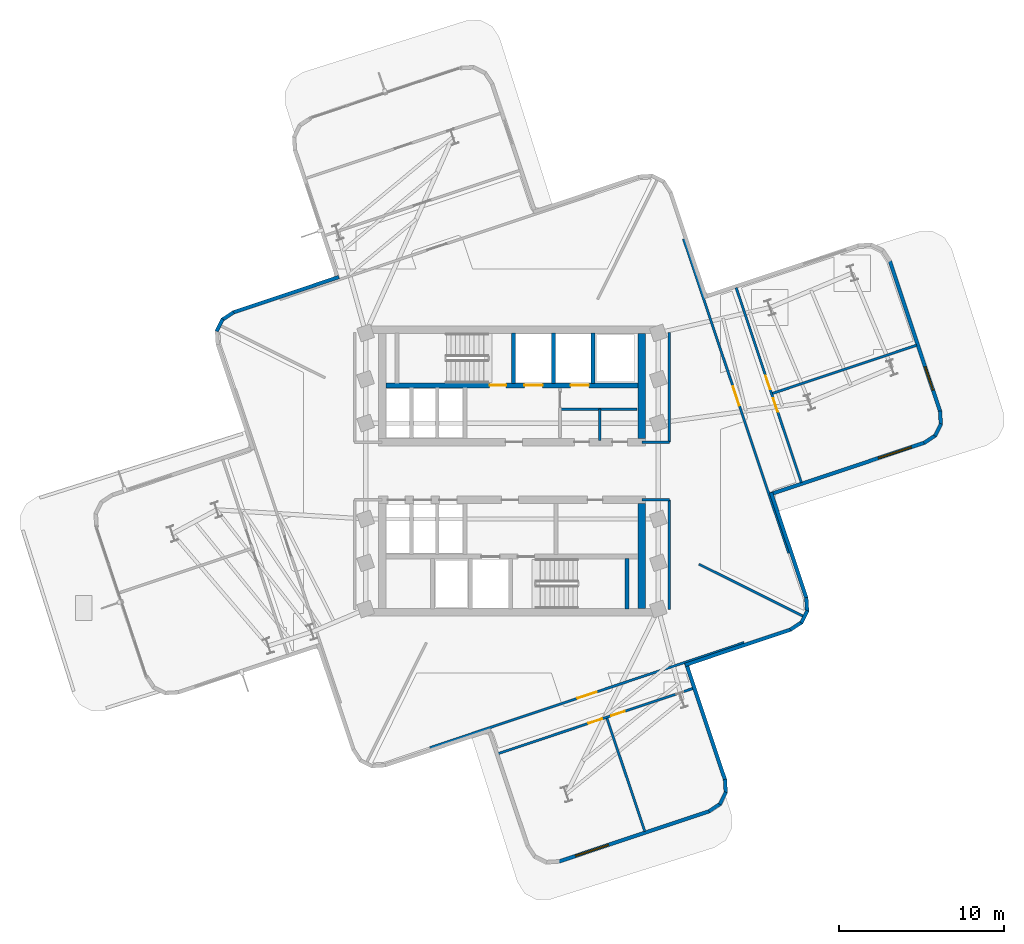
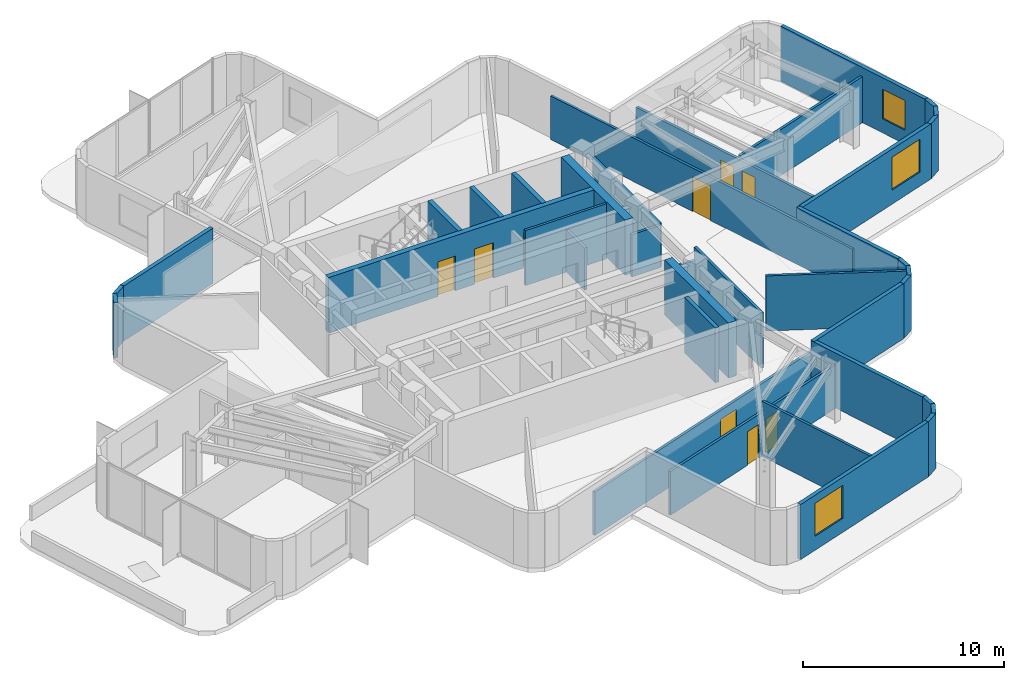
# One storey, part 7 of 11: 38 walls, 9 doors, 3 windows, 12 openings.
"""IFC4 building model written with IfcOpenShell, lengths in metres."""

from ifc_helpers import new_model, si_unit, direction, frame, frame_2d, origin, place, context, subcontext, project, spatial, rectangle, extrude, material, layer, layer_set, type_object, element, fill, save


model = new_model("IFC4")

# Units and contexts
model_context = context("Model", 3, precision=1e-05, world=origin(), true_north=direction((0.0, 1.0)))
body_context = subcontext(model_context, "Body", "Model", "MODEL_VIEW")
ifc_project = project(units=[si_unit("LENGTHUNIT", "METRE"), si_unit("AREAUNIT", "SQUARE_METRE"), si_unit("VOLUMEUNIT", "CUBIC_METRE"), si_unit("PLANEANGLEUNIT", "RADIAN"), si_unit("MASSUNIT", "GRAM", prefix="KILO")], contexts=[model_context])

# Site, building, storey
site_placement = place(None, origin())
site = spatial("IfcSite", under=ifc_project, at=site_placement, CompositionType="ELEMENT")
building_placement = place(site_placement, origin())
building = spatial("IfcBuilding", under=site, at=building_placement, Name="Solmarez Civic Tower", CompositionType="ELEMENT")
storey_placement = place(building_placement, frame((0.0, 0.0, 155.8798828125)))
storey = spatial("IfcBuildingStorey", under=building, at=storey_placement, Name="L41", CompositionType="ELEMENT", Elevation=155.8798828125)

# Walls
ifc_material_1 = material(Name="Concrete C50/60", Category="concrete")
ifc_layer_1 = layer(ifc_material_1, 0.449951171875)
ifc_layer_set_1 = layer_set([ifc_layer_1], Name="Concrete C50/60")
wall_type_1 = type_object("IfcWallType", Name="WALL-CORE-450", PredefinedType="SHEAR", material=ifc_layer_set_1)
for number, where, z_axis, x_axis, name in (
    (1, (7.844970703125, 8.31005859375, 0.0), (0.0, 0.0, 1.0), (0.0, -1.0, 0.0), "L41 Split-Core Structural Wall NCW-E-L41"),
    (2, (7.844970703125, -1.97509765625, 0.0), (0.0, 0.0, 1.0), (0.0, -1.0, 0.0), "L41 Split-Core Structural Wall SCW-E-L41"),
):
    element("IfcWall", number, at=place(storey_placement, frame(where, z_axis=z_axis, x_axis=x_axis)), inside=storey, type_object=wall_type_1, Name=name, PredefinedType="SHEAR", context=body_context, shape_type="SweptSolid", body=[
        extrude(rectangle(XDim=6.3349609375, YDim=0.449951171875, at=frame_2d((3.16748046875, 0.0))), origin(), (0.0, 0.0, 1.0), 3.340087890625),
    ])
ifc_material_2 = material(Name="Precast concrete C40/50", Category="concrete")
ifc_layer_2 = layer(ifc_material_2, 0.219970703125)
ifc_layer_set_2 = layer_set([ifc_layer_2], Name="Precast concrete C40/50")
wall_type_2 = type_object("IfcWallType", Name="WALL-EXT-220", PredefinedType="SOLIDWALL", material=ifc_layer_set_2)
wall_1_placement = place(storey_placement, frame((-17.85693359375, 8.446044921875, 0.0), z_axis=(0.0, 0.0, 1.0), x_axis=(0.446258139106, 0.894904281631, 0.0)))
element("IfcWall", 3, at=wall_1_placement, inside=storey, type_object=wall_type_2, Name="L41 Exterior Precast Wall 15", PredefinedType="SOLIDWALL", context=body_context, shape_type="SweptSolid", body=[
    extrude(rectangle(XDim=0.81787109375, YDim=0.219970703125, at=frame_2d((0.408935546875, 0.0))), origin(), (0.0, 0.0, 1.0), 3.340087890625),
])
wall_2_placement = place(storey_placement, frame((-17.52392578125, 9.14208984375, 0.0), z_axis=(0.0, 0.0, 1.0), x_axis=(0.833756011094, 0.552133058206, 0.0)))
element("IfcWall", 4, at=wall_2_placement, inside=storey, type_object=wall_type_2, Name="L41 Exterior Precast Wall 16", PredefinedType="SOLIDWALL", context=body_context, shape_type="SweptSolid", body=[
    extrude(rectangle(XDim=0.834716796875, YDim=0.219970703125, at=frame_2d((0.41748046875, 0.0))), origin(), (0.0, 0.0, 1.0), 3.340087890625),
])
wall_3_placement = place(storey_placement, frame((-16.873046875, 9.5810546875, 0.0), z_axis=(0.0, 0.0, 1.0), x_axis=(0.94829606055, 0.317387116224, 0.0)))
element("IfcWall", 5, at=wall_3_placement, inside=storey, type_object=wall_type_2, Name="L41 Exterior Precast Wall 17", PredefinedType="SOLIDWALL", context=body_context, shape_type="SweptSolid", body=[
    extrude(rectangle(XDim=6.75830078125, YDim=0.219970703125, at=frame_2d((3.379150390625, 0.0))), origin(), (0.0, 0.0, 1.0), 3.340087890625),
])

# Wall, opening, window
wall_4_placement = place(storey_placement, frame((22.8359375, 12.714111328125, 0.0), z_axis=(0.0, 0.0, 1.0), x_axis=(0.317285610931, -0.94833002752, 0.0)))
wall_4 = element("IfcWall", 6, at=wall_4_placement, inside=storey, type_object=wall_type_2, Name="L41 Exterior Precast Wall 42", PredefinedType="SOLIDWALL", context=body_context, shape_type="SweptSolid", body=[
    extrude(rectangle(XDim=9.6220703125, YDim=0.219970703125, at=frame_2d((4.81103515625, 0.0))), origin(), (0.0, 0.0, 1.0), 3.340087890625),
])
opening_1_placement = place(wall_4_placement, frame((6.7548828125, 0.0, 0.85009765625)))
opening_1 = element("IfcOpeningElement", 7, at=opening_1_placement, cuts=wall_4, Name="Opening W-13", PredefinedType="OPENING", context=body_context, shape_type="SweptSolid", body=[
    extrude(rectangle(XDim=1.5, YDim=1.800048828125, at=frame_2d((0.75, 0.89990234375))), frame((0.0, 0.119873046875, 0.0), z_axis=(0.0, -1.0, 0.0), x_axis=(1.0, 0.0, 0.0)), (0.0, 0.0, 1.0), 0.239990234375),
])
ifc_material_3 = material(Name="Solar Control Bronze-Tinted Insulating Glass", Category="glass")
window_type_1 = type_object("IfcWindowType", Name="WIN-1500X1800", PartitioningType="SINGLE_PANEL", PredefinedType="WINDOW", material=ifc_material_3)
window_1_placement = place(opening_1_placement, origin())
window_1 = element("IfcWindow", 8, at=window_1_placement, inside=storey, type_object=window_type_1, Name="L41 Exterior Facade Window 42", OverallHeight=1.800048828125, OverallWidth=1.5, PartitioningType="SINGLE_PANEL", PredefinedType="WINDOW", context=body_context, shape_type="SweptSolid", body=[
    extrude(rectangle(XDim=1.5, YDim=1.800048828125, at=frame_2d((0.75, 0.89990234375))), frame((0.0, 0.030029296875, 0.0), z_axis=(0.0, -1.0, 0.0), x_axis=(1.0, 0.0, 0.0)), (0.0, 0.0, 1.0), 0.06005859375),
])
fill(opening_1, window_1)

# Walls
wall_5_placement = place(storey_placement, frame((25.87890625, 3.637939453125, 0.0), z_axis=(0.0, 0.0, 1.0), x_axis=(0.062378286155, -0.998052578483, 0.0)))
element("IfcWall", 9, at=wall_5_placement, inside=storey, type_object=wall_type_2, Name="L41 Exterior Precast Wall 43", PredefinedType="SOLIDWALL", context=body_context, shape_type="SweptSolid", body=[
    extrude(rectangle(XDim=0.833740234375, YDim=0.219970703125, at=frame_2d((0.4169921875, 0.0))), origin(), (0.0, 0.0, 1.0), 3.340087890625),
])
wall_6_placement = place(storey_placement, frame((25.93994140625, 2.85302734375, 0.0), z_axis=(0.0, 0.0, 1.0), x_axis=(-0.445781750405, -0.895141682085, 0.0)))
element("IfcWall", 10, at=wall_6_placement, inside=storey, type_object=wall_type_2, Name="L41 Exterior Precast Wall 44", PredefinedType="SOLIDWALL", context=body_context, shape_type="SweptSolid", body=[
    extrude(rectangle(XDim=0.81884765625, YDim=0.219970703125, at=frame_2d((0.409423828125, 0.0))), origin(), (0.0, 0.0, 1.0), 3.340087890625),
])
wall_7_placement = place(storey_placement, frame((25.60693359375, 2.156005859375, 0.0), z_axis=(0.0, 0.0, 1.0), x_axis=(-0.833756011094, -0.552133058206, 0.0)))
element("IfcWall", 11, at=wall_7_placement, inside=storey, type_object=wall_type_2, Name="L41 Exterior Precast Wall 45", PredefinedType="SOLIDWALL", context=body_context, shape_type="SweptSolid", body=[
    extrude(rectangle(XDim=0.834716796875, YDim=0.219970703125, at=frame_2d((0.41748046875, 0.0))), origin(), (0.0, 0.0, 1.0), 3.340087890625),
])

# Wall, opening, window
wall_8_placement = place(storey_placement, frame((24.9560546875, 1.717041015625, 0.0), z_axis=(0.0, 0.0, 1.0), x_axis=(-0.948331055834, -0.317282537404, 0.0)))
wall_8 = element("IfcWall", 12, at=wall_8_placement, inside=storey, type_object=wall_type_2, Name="L41 Exterior Precast Wall 46", PredefinedType="SOLIDWALL", context=body_context, shape_type="SweptSolid", body=[
    extrude(rectangle(XDim=9.8583984375, YDim=0.219970703125, at=frame_2d((4.92919921875, 0.0))), origin(), (0.0, 0.0, 1.0), 3.340087890625),
])
opening_2_placement = place(wall_8_placement, frame((0.85009765625, 0.0, 0.85009765625)))
opening_2 = element("IfcOpeningElement", 13, at=opening_2_placement, cuts=wall_8, Name="Opening W-03", PredefinedType="OPENING", context=body_context, shape_type="SweptSolid", body=[
    extrude(rectangle(XDim=2.10009765625, YDim=2.0, at=frame_2d((1.050048828125, 1.0))), frame((0.0, 0.119873046875, 0.0), z_axis=(0.0, -1.0, 0.0), x_axis=(1.0, 0.0, 0.0)), (0.0, 0.0, 1.0), 0.239990234375),
])
window_type_2 = type_object("IfcWindowType", Name="WIN-2100X2000", PartitioningType="SINGLE_PANEL", PredefinedType="WINDOW", material=ifc_material_3)
window_2_placement = place(opening_2_placement, origin())
window_2 = element("IfcWindow", 14, at=window_2_placement, inside=storey, type_object=window_type_2, Name="L41 Exterior Facade Window 46", OverallHeight=2.0, OverallWidth=2.10009765625, PartitioningType="SINGLE_PANEL", PredefinedType="WINDOW", context=body_context, shape_type="SweptSolid", body=[
    extrude(rectangle(XDim=2.10009765625, YDim=2.0, at=frame_2d((1.050048828125, 1.0))), frame((0.0, 0.030029296875, 0.0), z_axis=(0.0, -1.0, 0.0), x_axis=(1.0, 0.0, 0.0)), (0.0, 0.0, 1.0), 0.06005859375),
])
fill(opening_2, window_2)

# Walls
wall_9_placement = place(storey_placement, frame((15.662109375, -1.300048828125, 0.0), z_axis=(0.0, 0.0, 1.0), x_axis=(0.317224676093, -0.948350412494, 0.0)))
element("IfcWall", 15, at=wall_9_placement, inside=storey, type_object=wall_type_2, Name="L41 Exterior Precast Wall 49", PredefinedType="SOLIDWALL", context=body_context, shape_type="SweptSolid", body=[
    extrude(rectangle(XDim=6.758056640625, YDim=0.219970703125, at=frame_2d((3.37890625, 0.0))), origin(), (0.0, 0.0, 1.0), 3.340087890625),
])
wall_10_placement = place(storey_placement, frame((17.7958984375, -7.659912109375, 0.0), z_axis=(0.0, 0.0, 1.0), x_axis=(0.062305442082, -0.998057128569, 0.0)))
element("IfcWall", 16, at=wall_10_placement, inside=storey, type_object=wall_type_2, Name="L41 Exterior Precast Wall 50", PredefinedType="SOLIDWALL", context=body_context, shape_type="SweptSolid", body=[
    extrude(rectangle(XDim=0.834716796875, YDim=0.219970703125, at=frame_2d((0.41748046875, 0.0))), origin(), (0.0, 0.0, 1.0), 3.340087890625),
])
wall_11_placement = place(storey_placement, frame((17.85693359375, -8.446044921875, 0.0), z_axis=(0.0, 0.0, 1.0), x_axis=(-0.446258139106, -0.894904281631, 0.0)))
element("IfcWall", 17, at=wall_11_placement, inside=storey, type_object=wall_type_2, Name="L41 Exterior Precast Wall 51", PredefinedType="SOLIDWALL", context=body_context, shape_type="SweptSolid", body=[
    extrude(rectangle(XDim=0.81787109375, YDim=0.219970703125, at=frame_2d((0.408935546875, 0.0))), origin(), (0.0, 0.0, 1.0), 3.340087890625),
])
wall_12_placement = place(storey_placement, frame((17.52392578125, -9.14208984375, 0.0), z_axis=(0.0, 0.0, 1.0), x_axis=(-0.833756011094, -0.552133058206, 0.0)))
element("IfcWall", 18, at=wall_12_placement, inside=storey, type_object=wall_type_2, Name="L41 Exterior Precast Wall 52", PredefinedType="SOLIDWALL", context=body_context, shape_type="SweptSolid", body=[
    extrude(rectangle(XDim=0.834716796875, YDim=0.219970703125, at=frame_2d((0.41748046875, 0.0))), origin(), (0.0, 0.0, 1.0), 3.340087890625),
])
wall_13_placement = place(storey_placement, frame((16.873046875, -9.5810546875, 0.0), z_axis=(0.0, 0.0, 1.0), x_axis=(-0.94829606055, -0.317387116224, 0.0)))
element("IfcWall", 19, at=wall_13_placement, inside=storey, type_object=wall_type_2, Name="L41 Exterior Precast Wall 53", PredefinedType="SOLIDWALL", context=body_context, shape_type="SweptSolid", body=[
    extrude(rectangle(XDim=6.75830078125, YDim=0.219970703125, at=frame_2d((3.379150390625, 0.0))), origin(), (0.0, 0.0, 1.0), 3.340087890625),
])
wall_14_placement = place(storey_placement, frame((10.51904296875, -11.614990234375, 0.0), z_axis=(0.0, 0.0, 1.0), x_axis=(0.317347016501, -0.948309480664, 0.0)))
element("IfcWall", 20, at=wall_14_placement, inside=storey, type_object=wall_type_2, Name="L41 Exterior Precast Wall 56", PredefinedType="SOLIDWALL", context=body_context, shape_type="SweptSolid", body=[
    extrude(rectangle(XDim=7.45849609375, YDim=0.219970703125, at=frame_2d((3.729248046875, 0.0))), origin(), (0.0, 0.0, 1.0), 3.340087890625),
])
wall_15_placement = place(storey_placement, frame((12.876953125, -18.638916015625, 0.0), z_axis=(0.0, 0.0, 1.0), x_axis=(0.05880777677, -0.998269325078, 0.0)))
element("IfcWall", 21, at=wall_15_placement, inside=storey, type_object=wall_type_2, Name="L41 Exterior Precast Wall 57", PredefinedType="SOLIDWALL", context=body_context, shape_type="SweptSolid", body=[
    extrude(rectangle(XDim=0.83447265625, YDim=0.219970703125, at=frame_2d((0.417236328125, 0.0))), origin(), (0.0, 0.0, 1.0), 3.340087890625),
])
wall_16_placement = place(storey_placement, frame((12.93603515625, -19.425048828125, 0.0), z_axis=(0.0, 0.0, 1.0), x_axis=(-0.446258139106, -0.894904281631, 0.0)))
element("IfcWall", 22, at=wall_16_placement, inside=storey, type_object=wall_type_2, Name="L41 Exterior Precast Wall 58", PredefinedType="SOLIDWALL", context=body_context, shape_type="SweptSolid", body=[
    extrude(rectangle(XDim=0.81787109375, YDim=0.219970703125, at=frame_2d((0.408935546875, 0.0))), origin(), (0.0, 0.0, 1.0), 3.340087890625),
])
wall_17_placement = place(storey_placement, frame((12.60302734375, -20.12109375, 0.0), z_axis=(0.0, 0.0, 1.0), x_axis=(-0.833756011094, -0.552133058206, 0.0)))
element("IfcWall", 23, at=wall_17_placement, inside=storey, type_object=wall_type_2, Name="L41 Exterior Precast Wall 59", PredefinedType="SOLIDWALL", context=body_context, shape_type="SweptSolid", body=[
    extrude(rectangle(XDim=0.834716796875, YDim=0.219970703125, at=frame_2d((0.41748046875, 0.0))), origin(), (0.0, 0.0, 1.0), 3.340087890625),
])

# Wall, opening, window
wall_18_placement = place(storey_placement, frame((11.951904296875, -20.56005859375, 0.0), z_axis=(0.0, 0.0, 1.0), x_axis=(-0.94831980895, -0.317316151421, 0.0)))
wall_18 = element("IfcWall", 24, at=wall_18_placement, inside=storey, type_object=wall_type_2, Name="L41 Exterior Precast Wall 60", PredefinedType="SOLIDWALL", context=body_context, shape_type="SweptSolid", body=[
    extrude(rectangle(XDim=9.621337890625, YDim=0.219970703125, at=frame_2d((4.810546875, 0.0))), origin(), (0.0, 0.0, 1.0), 3.340087890625),
])
opening_3_placement = place(wall_18_placement, frame((6.455078125, 0.0, 0.85009765625)))
opening_3 = element("IfcOpeningElement", 25, at=opening_3_placement, cuts=wall_18, Name="Opening W-03", PredefinedType="OPENING", context=body_context, shape_type="SweptSolid", body=[
    extrude(rectangle(XDim=2.10009765625, YDim=2.0, at=frame_2d((1.050048828125, 1.0))), frame((0.0, 0.119873046875, 0.0), z_axis=(0.0, -1.0, 0.0), x_axis=(1.0, 0.0, 0.0)), (0.0, 0.0, 1.0), 0.239990234375),
])
window_3_placement = place(opening_3_placement, origin())
window_3 = element("IfcWindow", 26, at=window_3_placement, inside=storey, type_object=window_type_2, Name="L41 Exterior Facade Window 60", OverallHeight=2.0, OverallWidth=2.10009765625, PartitioningType="SINGLE_PANEL", PredefinedType="WINDOW", context=body_context, shape_type="SweptSolid", body=[
    extrude(rectangle(XDim=2.10009765625, YDim=2.0, at=frame_2d((1.050048828125, 1.0))), frame((0.0, 0.030029296875, 0.0), z_axis=(0.0, -1.0, 0.0), x_axis=(1.0, 0.0, 0.0)), (0.0, 0.0, 1.0), 0.06005859375),
])
fill(opening_3, window_3)

# Walls
ifc_material_4 = material(Name="Gypsum Board Acoustic Steel-Stud Partition", Category="steel")
ifc_layer_3 = layer(ifc_material_4, 0.14990234375)
ifc_layer_set_3 = layer_set([ifc_layer_3], Name="Gypsum Board Acoustic Steel-Stud Partition")
wall_type_3 = type_object("IfcWallType", Name="WALL-INT-FIRE-150", PredefinedType="PARTITIONING", material=ifc_layer_set_3)
wall_19_placement = place(storey_placement, frame((9.52001953125, 1.75, 0.0), z_axis=(0.0, 0.0, 1.0), x_axis=(0.0, 1.0, 0.0)))
element("IfcWall", 27, at=wall_19_placement, inside=storey, type_object=wall_type_3, Name="L41 Interior Partition CHW-L41-EN1", PredefinedType="PARTITIONING", context=body_context, shape_type="SweptSolid", body=[
    extrude(rectangle(XDim=6.6298828125, YDim=0.14990234375, at=frame_2d((3.31494140625, 0.0))), origin(), (0.0, 0.0, 1.0), 2.64404296875),
])
wall_20_placement = place(storey_placement, frame((7.85009765625, 1.75, 0.0), z_axis=(0.0, 0.0, 1.0), x_axis=(1.0, 0.0, 0.0)))
element("IfcWall", 28, at=wall_20_placement, inside=storey, type_object=wall_type_3, Name="L41 Interior Partition CHW-L41-EN3", PredefinedType="PARTITIONING", context=body_context, shape_type="SweptSolid", body=[
    extrude(rectangle(XDim=1.669921875, YDim=0.14990234375, at=frame_2d((0.8349609375, 0.0))), origin(), (0.0, 0.0, 1.0), 2.570068359375),
])
wall_21_placement = place(storey_placement, frame((9.52001953125, -8.3798828125, 0.0), z_axis=(0.0, 0.0, 1.0), x_axis=(0.0, 1.0, 0.0)))
element("IfcWall", 29, at=wall_21_placement, inside=storey, type_object=wall_type_3, Name="L41 Interior Partition CHW-L41-ES1", PredefinedType="PARTITIONING", context=body_context, shape_type="SweptSolid", body=[
    extrude(rectangle(XDim=6.6298828125, YDim=0.14990234375, at=frame_2d((3.31494140625, 0.0))), origin(), (0.0, 0.0, 1.0), 3.340087890625),
])
wall_22_placement = place(storey_placement, frame((7.85009765625, -1.75, 0.0), z_axis=(0.0, 0.0, 1.0), x_axis=(1.0, 0.0, 0.0)))
element("IfcWall", 30, at=wall_22_placement, inside=storey, type_object=wall_type_3, Name="L41 Interior Partition CHW-L41-ES3", PredefinedType="PARTITIONING", context=body_context, shape_type="SweptSolid", body=[
    extrude(rectangle(XDim=1.669921875, YDim=0.14990234375, at=frame_2d((0.8349609375, 0.0))), origin(), (0.0, 0.0, 1.0), 2.570068359375),
])
ifc_layer_4 = layer(ifc_material_4, 0.14501953125)
ifc_layer_set_4 = layer_set([ifc_layer_4], Name="Gypsum Board Acoustic Steel-Stud Partition")
wall_type_4 = type_object("IfcWallType", Name="WALL-INT-PART-150", PredefinedType="PARTITIONING", material=ifc_layer_set_4)
wall_23_placement = place(storey_placement, frame((11.300048828125, -5.634033203125, 0.0), z_axis=(0.0, 0.0, 1.0), x_axis=(0.894904738475, -0.446257222972, 0.0)))
element("IfcWall", 31, at=wall_23_placement, inside=storey, type_object=wall_type_4, Name="L41 Interior Partition PT-L41-QDIV-4", PredefinedType="PARTITIONING", context=body_context, shape_type="SweptSolid", body=[
    extrude(rectangle(XDim=7.047607421875, YDim=0.14501953125, at=frame_2d((3.52392578125, 0.0))), origin(), (0.0, 0.0, 1.0), 3.340087890625),
])

# Wall, opening, door
wall_24_placement = place(storey_placement, frame((10.3720703125, 14.037109375, 0.0), z_axis=(0.0, 0.0, 1.0), x_axis=(0.317298382655, -0.94832575435, 0.0)))
wall_24 = element("IfcWall", 32, at=wall_24_placement, inside=storey, type_object=wall_type_4, Name="L41 Interior Partition PT-L41-E-ENT", PredefinedType="PARTITIONING", context=body_context, shape_type="SweptSolid", body=[
    extrude(rectangle(XDim=20.040771484375, YDim=0.14501953125, at=frame_2d((10.0205078125, 0.0))), origin(), (0.0, 0.0, 1.0), 2.64404296875),
])
opening_4_placement = place(wall_24_placement, frame((9.419921875, 0.0, 0.0)))
opening_4 = element("IfcOpeningElement", 33, at=opening_4_placement, cuts=wall_24, Name="Opening D-11", PredefinedType="OPENING", context=body_context, shape_type="SweptSolid", body=[
    extrude(rectangle(XDim=1.199951171875, YDim=2.10009765625, at=frame_2d((0.60009765625, 1.050048828125))), frame((0.0, 0.08251953125, 0.0), z_axis=(0.0, -1.0, 0.0), x_axis=(1.0, 0.0, 0.0)), (0.0, 0.0, 1.0), 0.1650390625),
])
ifc_material_5 = material(Name="Glazed-Vision Acoustic Chamber Door", Category="wood")
door_type_1 = type_object("IfcDoorType", Name="DOOR-INT-1200", OperationType="NOTDEFINED", PredefinedType="DOOR", material=ifc_material_5)
door_1_placement = place(opening_4_placement, origin())
door_1 = element("IfcDoor", 34, at=door_1_placement, inside=storey, type_object=door_type_1, Name="L41 Tribunal Chamber Public Reception Room First East Door", OperationType="SINGLE_SWING_LEFT", OverallHeight=2.10009765625, OverallWidth=1.199951171875, PredefinedType="DOOR", context=body_context, shape_type="SweptSolid", body=[
    extrude(rectangle(XDim=1.199951171875, YDim=2.10009765625, at=frame_2d((0.60009765625, 1.050048828125))), frame((0.0, 0.02490234375, 0.0), z_axis=(0.0, -1.0, 0.0), x_axis=(1.0, 0.0, 0.0)), (0.0, 0.0, 1.0), 0.050048828125),
])
fill(opening_4, door_1)

# Wall
wall_25_placement = place(storey_placement, frame((15.7548828125, 4.69189453125, 0.0), z_axis=(0.0, 0.0, 1.0), x_axis=(0.94831322287, 0.317335833667, 0.0)))
element("IfcWall", 35, at=wall_25_placement, inside=storey, type_object=wall_type_4, Name="L41 Interior Partition PT-L41-E-TSP", PredefinedType="PARTITIONING", context=body_context, shape_type="SweptSolid", body=[
    extrude(rectangle(XDim=9.18603515625, YDim=0.14501953125, at=frame_2d((4.593017578125, 0.0))), origin(), (0.0, 0.0, 1.0), 2.793212890625),
])

# Wall, openings, doors
wall_26_placement = place(storey_placement, frame((17.49609375, -0.699951171875, 0.0), z_axis=(0.0, 0.0, 1.0), x_axis=(-0.317299961245, 0.948325226172, 0.0)))
wall_26 = element("IfcWall", 36, at=wall_26_placement, inside=storey, type_object=wall_type_4, Name="L41 Interior Partition PT-L41-E-SCUT", PredefinedType="PARTITIONING", context=body_context, shape_type="SweptSolid", body=[
    extrude(rectangle(XDim=12.43017578125, YDim=0.14501953125, at=frame_2d((6.215087890625, 0.0))), origin(), (0.0, 0.0, 1.0), 2.64404296875),
])
opening_5_placement = place(wall_26_placement, frame((4.514892578125, 0.0, 0.0)))
opening_5 = element("IfcOpeningElement", 37, at=opening_5_placement, cuts=wall_26, Name="Opening D-14", PredefinedType="OPENING", context=body_context, shape_type="SweptSolid", body=[
    extrude(rectangle(XDim=0.860107421875, YDim=2.0400390625, at=frame_2d((0.43017578125, 1.02001953125))), frame((0.0, 0.08251953125, 0.0), z_axis=(0.0, -1.0, 0.0), x_axis=(1.0, 0.0, 0.0)), (0.0, 0.0, 1.0), 0.1650390625),
])
opening_6_placement = place(wall_26_placement, frame((5.955078125, 0.0, 0.0)))
opening_6 = element("IfcOpeningElement", 38, at=opening_6_placement, cuts=wall_26, Name="Opening D-14", PredefinedType="OPENING", context=body_context, shape_type="SweptSolid", body=[
    extrude(rectangle(XDim=0.860107421875, YDim=2.0400390625, at=frame_2d((0.43017578125, 1.02001953125))), frame((0.0, 0.08251953125, 0.0), z_axis=(0.0, -1.0, 0.0), x_axis=(1.0, 0.0, 0.0)), (0.0, 0.0, 1.0), 0.1650390625),
])
ifc_material_6 = material(Name="Timber Storage and Pantry Door", Category="wood")
door_type_2 = type_object("IfcDoorType", Name="DOOR-INT-850", OperationType="NOTDEFINED", PredefinedType="DOOR", material=ifc_material_6)
door_2_placement = place(opening_5_placement, origin())
door_2 = element("IfcDoor", 39, at=door_2_placement, inside=storey, type_object=door_type_2, Name="L41 Security Control Room Third East Door", OperationType="SINGLE_SWING_RIGHT", OverallHeight=2.0400390625, OverallWidth=0.860107421875, PredefinedType="DOOR", context=body_context, shape_type="SweptSolid", body=[
    extrude(rectangle(XDim=0.860107421875, YDim=2.0400390625, at=frame_2d((0.43017578125, 1.02001953125))), frame((0.0, 0.02490234375, 0.0), z_axis=(0.0, -1.0, 0.0), x_axis=(1.0, 0.0, 0.0)), (0.0, 0.0, 1.0), 0.050048828125),
])
fill(opening_5, door_2)
door_3_placement = place(opening_6_placement, origin())
door_3 = element("IfcDoor", 40, at=door_3_placement, inside=storey, type_object=door_type_2, Name="L41 Delegation Concierge Room Second East Door", OperationType="SINGLE_SWING_LEFT", OverallHeight=2.0400390625, OverallWidth=0.860107421875, PredefinedType="DOOR", context=body_context, shape_type="SweptSolid", body=[
    extrude(rectangle(XDim=0.860107421875, YDim=2.0400390625, at=frame_2d((0.43017578125, 1.02001953125))), frame((0.0, 0.02490234375, 0.0), z_axis=(0.0, -1.0, 0.0), x_axis=(1.0, 0.0, 0.0)), (0.0, 0.0, 1.0), 0.050048828125),
])
fill(opening_6, door_3)

# Wall, opening, door
wall_27_placement = place(storey_placement, frame((14.037109375, -10.3720703125, 0.0), z_axis=(0.0, 0.0, 1.0), x_axis=(-0.94832575435, -0.317298382655, 0.0)))
wall_27 = element("IfcWall", 41, at=wall_27_placement, inside=storey, type_object=wall_type_4, Name="L41 Interior Partition PT-L41-S-ENT", PredefinedType="PARTITIONING", context=body_context, shape_type="SweptSolid", body=[
    extrude(rectangle(XDim=20.040771484375, YDim=0.14501953125, at=frame_2d((10.0205078125, 0.0))), origin(), (0.0, 0.0, 1.0), 2.64404296875),
])
opening_7_placement = place(wall_27_placement, frame((9.419921875, 0.0, 0.0)))
opening_7 = element("IfcOpeningElement", 42, at=opening_7_placement, cuts=wall_27, Name="Opening D-11", PredefinedType="OPENING", context=body_context, shape_type="SweptSolid", body=[
    extrude(rectangle(XDim=1.199951171875, YDim=2.10009765625, at=frame_2d((0.60009765625, 1.050048828125))), frame((0.0, 0.08251953125, 0.0), z_axis=(0.0, -1.0, 0.0), x_axis=(1.0, 0.0, 0.0)), (0.0, 0.0, 1.0), 0.1650390625),
])
door_4_placement = place(opening_7_placement, origin())
door_4 = element("IfcDoor", 43, at=door_4_placement, inside=storey, type_object=door_type_1, Name="L41 Ministry Conference Room First South Door", OperationType="SINGLE_SWING_LEFT", OverallHeight=2.10009765625, OverallWidth=1.199951171875, PredefinedType="DOOR", context=body_context, shape_type="SweptSolid", body=[
    extrude(rectangle(XDim=1.199951171875, YDim=2.10009765625, at=frame_2d((0.60009765625, 1.050048828125))), frame((0.0, 0.02490234375, 0.0), z_axis=(0.0, -1.0, 0.0), x_axis=(1.0, 0.0, 0.0)), (0.0, 0.0, 1.0), 0.050048828125),
])
fill(opening_7, door_4)

# Wall
wall_28_placement = place(storey_placement, frame((5.740966796875, -14.950927734375, 0.0), z_axis=(0.0, 0.0, 1.0), x_axis=(0.317273194857, -0.948334181513, 0.0)))
element("IfcWall", 44, at=wall_28_placement, inside=storey, type_object=wall_type_4, Name="L41 Interior Partition PT-L41-S-TM3", PredefinedType="PARTITIONING", context=body_context, shape_type="SweptSolid", body=[
    extrude(rectangle(XDim=7.21484375, YDim=0.14501953125, at=frame_2d((3.607421875, 0.0))), origin(), (0.0, 0.0, 1.0), 3.340087890625),
])

# Wall, openings, doors
wall_29_placement = place(storey_placement, frame((-0.8359375, -17.087890625, 0.0), z_axis=(0.0, 0.0, 1.0), x_axis=(0.948331136084, 0.317282297544, 0.0)))
wall_29 = element("IfcWall", 45, at=wall_29_placement, inside=storey, type_object=wall_type_4, Name="L41 Interior Partition PT-L41-S-SCUT", PredefinedType="PARTITIONING", context=body_context, shape_type="SweptSolid", body=[
    extrude(rectangle(XDim=12.43017578125, YDim=0.14501953125, at=frame_2d((6.215087890625, 0.0))), origin(), (0.0, 0.0, 1.0), 2.64404296875),
])
opening_8_placement = place(wall_29_placement, frame((5.764892578125, 0.0, 0.0)))
opening_8 = element("IfcOpeningElement", 46, at=opening_8_placement, cuts=wall_29, Name="Opening D-14", PredefinedType="OPENING", context=body_context, shape_type="SweptSolid", body=[
    extrude(rectangle(XDim=0.860107421875, YDim=2.0400390625, at=frame_2d((0.43017578125, 1.02001953125))), frame((0.0, 0.08251953125, 0.0), z_axis=(0.0, -1.0, 0.0), x_axis=(1.0, 0.0, 0.0)), (0.0, 0.0, 1.0), 0.1650390625),
])
opening_9_placement = place(wall_29_placement, frame((7.2041015625, 0.0, 0.0)))
opening_9 = element("IfcOpeningElement", 47, at=opening_9_placement, cuts=wall_29, Name="Opening D-14", PredefinedType="OPENING", context=body_context, shape_type="SweptSolid", body=[
    extrude(rectangle(XDim=0.860107421875, YDim=2.0400390625, at=frame_2d((0.43017578125, 1.02001953125))), frame((0.0, 0.08251953125, 0.0), z_axis=(0.0, -1.0, 0.0), x_axis=(1.0, 0.0, 0.0)), (0.0, 0.0, 1.0), 0.1650390625),
])
door_5_placement = place(opening_8_placement, origin())
door_5 = element("IfcDoor", 48, at=door_5_placement, inside=storey, type_object=door_type_2, Name="L41 Security Control Room Third South Door", OperationType="SINGLE_SWING_RIGHT", OverallHeight=2.0400390625, OverallWidth=0.860107421875, PredefinedType="DOOR", context=body_context, shape_type="SweptSolid", body=[
    extrude(rectangle(XDim=0.860107421875, YDim=2.0400390625, at=frame_2d((0.43017578125, 1.02001953125))), frame((0.0, 0.02490234375, 0.0), z_axis=(0.0, -1.0, 0.0), x_axis=(1.0, 0.0, 0.0)), (0.0, 0.0, 1.0), 0.050048828125),
])
fill(opening_8, door_5)
door_6_placement = place(opening_9_placement, origin())
door_6 = element("IfcDoor", 49, at=door_6_placement, inside=storey, type_object=door_type_2, Name="L41 Delegation Concierge Room Second South Door", OperationType="SINGLE_SWING_LEFT", OverallHeight=2.0400390625, OverallWidth=0.860107421875, PredefinedType="DOOR", context=body_context, shape_type="SweptSolid", body=[
    extrude(rectangle(XDim=0.860107421875, YDim=2.0400390625, at=frame_2d((0.43017578125, 1.02001953125))), frame((0.0, 0.02490234375, 0.0), z_axis=(0.0, -1.0, 0.0), x_axis=(1.0, 0.0, 0.0)), (0.0, 0.0, 1.0), 0.050048828125),
])
fill(opening_9, door_6)

# Walls
ifc_layer_5 = layer(ifc_material_4, 0.137939453125)
ifc_layer_set_5 = layer_set([ifc_layer_5], Name="Gypsum Board Acoustic Steel-Stud Partition")
wall_type_5 = type_object("IfcWallType", Name="WALL-INT-WET-140", PredefinedType="PARTITIONING", material=ifc_layer_set_5)
wall_30_placement = place(storey_placement, frame((2.89990234375, 3.739990234375, 0.0), z_axis=(0.0, 0.0, 1.0), x_axis=(1.0, 0.0, 0.0)))
element("IfcWall", 50, at=wall_30_placement, inside=storey, type_object=wall_type_5, Name="L41 Interior Partition SHW-SVH-L41", PredefinedType="PARTITIONING", context=body_context, shape_type="SweptSolid", body=[
    extrude(rectangle(XDim=4.650146484375, YDim=0.137939453125, at=frame_2d((2.3251953125, 0.0))), origin(), (0.0, 0.0, 1.0), 3.340087890625),
])
wall_31_placement = place(storey_placement, frame((5.300048828125, 1.85009765625, 0.0), z_axis=(0.0, 0.0, 1.0), x_axis=(0.0, 1.0, 0.0)))
element("IfcWall", 51, at=wall_31_placement, inside=storey, type_object=wall_type_5, Name="L41 Interior Partition PT-NCSV-L41", PredefinedType="PARTITIONING", context=body_context, shape_type="SweptSolid", body=[
    extrude(rectangle(XDim=1.889892578125, YDim=0.137939453125, at=frame_2d((0.94482421875, 0.0))), origin(), (0.0, 0.0, 1.0), 2.570068359375),
])

# Wall, openings, doors
ifc_layer_6 = layer(ifc_material_1, 0.300048828125)
ifc_layer_set_6 = layer_set([ifc_layer_6], Name="Concrete C50/60")
wall_type_6 = type_object("IfcWallType", Name="WALL-STR-300", PredefinedType="SOLIDWALL", material=ifc_layer_set_6)
wall_32_placement = place(storey_placement, frame((7.6201171875, 5.179931640625, 0.0), z_axis=(0.0, 0.0, 1.0), x_axis=(-1.0, 0.0, 0.0)))
wall_32 = element("IfcWall", 52, at=wall_32_placement, inside=storey, type_object=wall_type_6, Name="L41 Split-Core Structural Wall NCW-M-L41", PredefinedType="SOLIDWALL", context=body_context, shape_type="SweptSolid", body=[
    extrude(rectangle(XDim=15.240234375, YDim=0.300048828125, at=frame_2d((7.6201171875, 0.0))), origin(), (0.0, 0.0, 1.0), 3.340087890625),
])
opening_10_placement = place(wall_32_placement, frame((5.77001953125, 0.0, 0.0)))
opening_10 = element("IfcOpeningElement", 53, at=opening_10_placement, cuts=wall_32, Name="Opening LD-02", PredefinedType="OPENING", context=body_context, shape_type="SweptSolid", body=[
    extrude(rectangle(XDim=1.10009765625, YDim=2.14990234375, at=frame_2d((0.550048828125, 1.074951171875))), frame((0.0, 0.159912109375, 0.0), z_axis=(0.0, -1.0, 0.0), x_axis=(1.0, 0.0, 0.0)), (0.0, 0.0, 1.0), 0.320068359375),
])
opening_11_placement = place(wall_32_placement, frame((2.969970703125, 0.0, 0.0)))
opening_11 = element("IfcOpeningElement", 54, at=opening_11_placement, cuts=wall_32, Name="Opening LD-03", PredefinedType="OPENING", context=body_context, shape_type="SweptSolid", body=[
    extrude(rectangle(XDim=1.10009765625, YDim=2.14990234375, at=frame_2d((0.550048828125, 1.074951171875))), frame((0.0, 0.159912109375, 0.0), z_axis=(0.0, -1.0, 0.0), x_axis=(1.0, 0.0, 0.0)), (0.0, 0.0, 1.0), 0.320068359375),
])
opening_12_placement = place(wall_32_placement, frame((7.969970703125, 0.0, 0.0)))
opening_12 = element("IfcOpeningElement", 55, at=opening_12_placement, cuts=wall_32, Name="Opening D-05", PredefinedType="OPENING", context=body_context, shape_type="SweptSolid", body=[
    extrude(rectangle(XDim=1.0, YDim=2.10009765625, at=frame_2d((0.5, 1.050048828125))), frame((0.0, 0.159912109375, 0.0), z_axis=(0.0, -1.0, 0.0), x_axis=(1.0, 0.0, 0.0)), (0.0, 0.0, 1.0), 0.320068359375),
])
ifc_material_7 = material(Name="Fire-Rated Stairwell Exit Door", Category="wood")
door_type_3 = type_object("IfcDoorType", Name="DOOR-FD90-1000", OperationType="NOTDEFINED", PredefinedType="DOOR", material=ifc_material_7)
door_7_placement = place(opening_12_placement, origin())
door_7 = element("IfcDoor", 56, at=door_7_placement, inside=storey, type_object=door_type_3, Name="L41 North Exit Stair Door ST-1", OperationType="SINGLE_SWING_RIGHT", OverallHeight=2.10009765625, OverallWidth=1.0, PredefinedType="DOOR", context=body_context, shape_type="SweptSolid", body=[
    extrude(rectangle(XDim=1.0, YDim=2.10009765625, at=frame_2d((0.5, 1.050048828125))), frame((0.0, 0.02490234375, 0.0), z_axis=(0.0, -1.0, 0.0), x_axis=(1.0, 0.0, 0.0)), (0.0, 0.0, 1.0), 0.050048828125),
])
fill(opening_12, door_7)
ifc_material_8 = material(Name="Stainless Firefighting Lift Landing Sliding Door", Category="aluminium")
door_type_4 = type_object("IfcDoorType", Name="DOOR-LD-FF-1100", OperationType="DOUBLE_DOOR_SLIDING", PredefinedType="DOOR", material=ifc_material_8)
door_8_placement = place(opening_10_placement, origin())
door_8 = element("IfcDoor", 57, at=door_8_placement, inside=storey, type_object=door_type_4, Name="L41 Firefighting Lift Landing Door FFL-1", OperationType="DOUBLE_DOOR_SLIDING", OverallHeight=2.14990234375, OverallWidth=1.10009765625, PredefinedType="DOOR", context=body_context, shape_type="SweptSolid", body=[
    extrude(rectangle(XDim=1.10009765625, YDim=2.14990234375, at=frame_2d((0.550048828125, 1.074951171875))), frame((0.0, 0.02490234375, 0.0), z_axis=(0.0, -1.0, 0.0), x_axis=(1.0, 0.0, 0.0)), (0.0, 0.0, 1.0), 0.050048828125),
])
fill(opening_10, door_8)
ifc_material_9 = material(Name="Stainless Stretcher Lift Landing Sliding Door", Category="aluminium")
door_type_5 = type_object("IfcDoorType", Name="DOOR-LD-SV-1100", OperationType="DOUBLE_DOOR_SLIDING", PredefinedType="DOOR", material=ifc_material_9)
door_9_placement = place(opening_11_placement, origin())
door_9 = element("IfcDoor", 58, at=door_9_placement, inside=storey, type_object=door_type_5, Name="L41 Service Stretcher Lift Landing Door SVL-1", OperationType="DOUBLE_DOOR_SLIDING", OverallHeight=2.14990234375, OverallWidth=1.10009765625, PredefinedType="DOOR", context=body_context, shape_type="SweptSolid", body=[
    extrude(rectangle(XDim=1.10009765625, YDim=2.14990234375, at=frame_2d((0.550048828125, 1.074951171875))), frame((0.0, 0.02490234375, 0.0), z_axis=(0.0, -1.0, 0.0), x_axis=(1.0, 0.0, 0.0)), (0.0, 0.0, 1.0), 0.050048828125),
])
fill(opening_11, door_9)

# Walls
wall_33_placement = place(storey_placement, frame((6.949951171875, -8.340087890625, 0.0), z_axis=(0.0, 0.0, 1.0), x_axis=(0.0, 1.0, 0.0)))
element("IfcWall", 59, at=wall_33_placement, inside=storey, type_object=wall_type_6, Name="L41 Split-Core Structural Wall SHW-SE-L41", PredefinedType="SOLIDWALL", context=body_context, shape_type="SweptSolid", body=[
    extrude(rectangle(XDim=3.06005859375, YDim=0.219970703125, at=frame_2d((1.530029296875, 0.0))), origin(), (0.0, 0.0, 1.0), 3.340087890625),
])
for number, where, z_axis, x_axis, name in (
    (60, (0.10009765625, 5.300048828125, 0.0), (0.0, 0.0, 1.0), (0.0, 1.0, 0.0), "L41 Split-Core Structural Wall SHW-N1-L41"),
    (61, (2.5, 5.300048828125, 0.0), (0.0, 0.0, 1.0), (0.0, 1.0, 0.0), "L41 Split-Core Structural Wall SHW-N2-L41"),
    (62, (4.89990234375, 5.300048828125, 0.0), (0.0, 0.0, 1.0), (0.0, 1.0, 0.0), "L41 Split-Core Structural Wall SHW-N3-L41"),
):
    element("IfcWall", number, at=place(storey_placement, frame(where, z_axis=z_axis, x_axis=x_axis)), inside=storey, type_object=wall_type_6, Name=name, PredefinedType="SOLIDWALL", context=body_context, shape_type="SweptSolid", body=[
        extrude(rectangle(XDim=3.0400390625, YDim=0.25, at=frame_2d((1.52001953125, 0.0))), origin(), (0.0, 0.0, 1.0), 3.340087890625),
    ])

save(model, "model.ifc")
